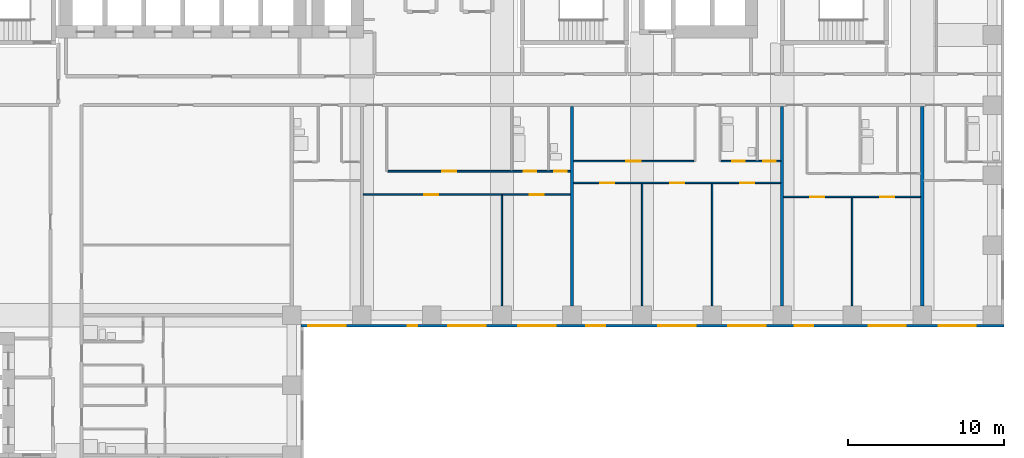
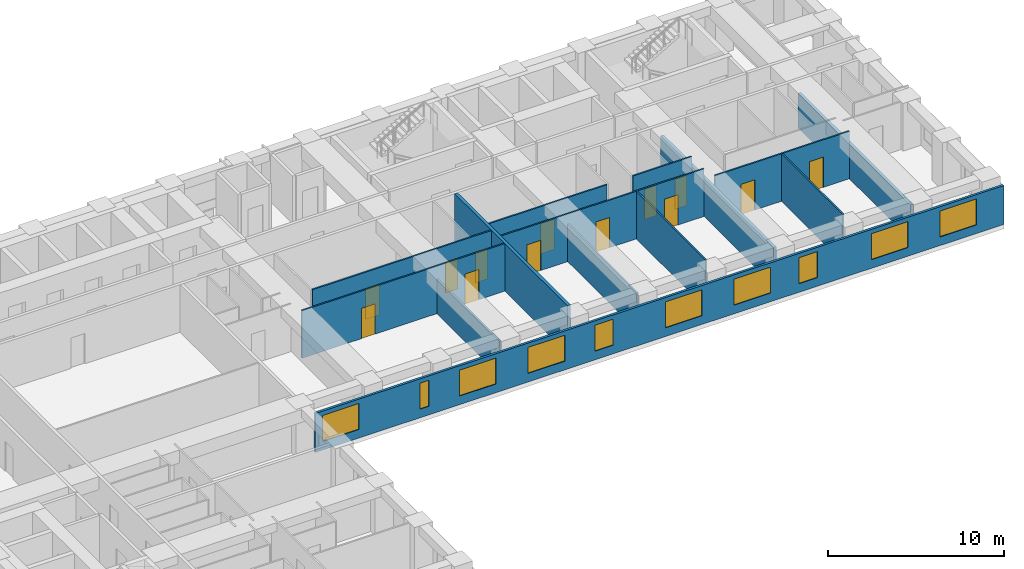
# One storey, part 6 of 11: 14 walls, 13 doors, 10 windows, 23 openings.
"""IFC4 building model written with IfcOpenShell, lengths in metres."""

from ifc_helpers import new_model, si_unit, direction, frame, frame_2d, origin, place, context, subcontext, project, spatial, rectangle, extrude, material, layer, layer_set, type_object, element, fill, save


model = new_model("IFC4")

# Units and contexts
model_context = context("Model", 3, precision=1e-05, world=origin(), true_north=direction((0.0, 1.0)))
body_context = subcontext(model_context, "Body", "Model", "MODEL_VIEW")
ifc_project = project(units=[si_unit("LENGTHUNIT", "METRE"), si_unit("AREAUNIT", "SQUARE_METRE"), si_unit("VOLUMEUNIT", "CUBIC_METRE"), si_unit("PLANEANGLEUNIT", "RADIAN"), si_unit("MASSUNIT", "GRAM", prefix="KILO")], contexts=[model_context])

# Site, building, storey
site_placement = place(None, origin())
site = spatial("IfcSite", under=ifc_project, at=site_placement, CompositionType="ELEMENT")
building_placement = place(site_placement, origin())
building = spatial("IfcBuilding", under=site, at=building_placement, Name="Firuza Court", CompositionType="ELEMENT")
storey_placement = place(building_placement, frame((0.0, 0.0, 57.800048828125)))
storey = spatial("IfcBuildingStorey", under=building, at=storey_placement, Name="L13", CompositionType="ELEMENT", Elevation=57.800048828125)

# Walls
ifc_material_1 = material(Name="Timber stud partition, plasterboard both sides", Category="wood")
ifc_layer_1 = layer(ifc_material_1, 0.10009765625)
ifc_layer_set_1 = layer_set([ifc_layer_1], Name="Timber stud partition, plasterboard both sides")
wall_type_1 = type_object("IfcWallType", Name="Partition wall 100", PredefinedType="PARTITIONING", material=ifc_layer_set_1)
wall_1_placement = place(storey_placement, frame((36.0, 36.60009765625, 0.0), z_axis=(0.0, 0.0, 1.0), x_axis=(0.0, 1.0, 0.0)))
element("IfcWall", 1, at=wall_1_placement, inside=storey, type_object=wall_type_1, Name="Partition wall 100 L13", PredefinedType="PARTITIONING", context=body_context, shape_type="SweptSolid", body=[
    extrude(rectangle(XDim=7.099853515625, YDim=0.10009765625, at=frame_2d((3.5498046875, 0.0))), origin(), (0.0, 0.0, 1.0), 2.39990234375),
])
wall_2_placement = place(storey_placement, frame((45.0, 36.60009765625, 0.0), z_axis=(0.0, 0.0, 1.0), x_axis=(0.0, 1.0, 0.0)))
element("IfcWall", 2, at=wall_2_placement, inside=storey, type_object=wall_type_1, Name="Partition wall 100 L13", PredefinedType="PARTITIONING", context=body_context, shape_type="SweptSolid", body=[
    extrude(rectangle(XDim=7.849853515625, YDim=0.10009765625, at=frame_2d((3.9248046875, 0.0))), origin(), (0.0, 0.0, 1.0), 2.599853515625),
])
wall_3_placement = place(storey_placement, frame((49.5, 36.60009765625, 0.0), z_axis=(0.0, 0.0, 1.0), x_axis=(0.0, 1.0, 0.0)))
element("IfcWall", 3, at=wall_3_placement, inside=storey, type_object=wall_type_1, Name="Partition wall 100 L13", PredefinedType="PARTITIONING", context=body_context, shape_type="SweptSolid", body=[
    extrude(rectangle(XDim=7.849853515625, YDim=0.10009765625, at=frame_2d((3.9248046875, 0.0))), origin(), (0.0, 0.0, 1.0), 3.300048828125),
])
wall_4_placement = place(storey_placement, frame((58.5, 36.60009765625, 0.0), z_axis=(0.0, 0.0, 1.0), x_axis=(0.0, 1.0, 0.0)))
element("IfcWall", 4, at=wall_4_placement, inside=storey, type_object=wall_type_1, Name="Partition wall 100 L13", PredefinedType="PARTITIONING", context=body_context, shape_type="SweptSolid", body=[
    extrude(rectangle(XDim=6.949951171875, YDim=0.10009765625, at=frame_2d((3.47509765625, 0.0))), origin(), (0.0, 0.0, 1.0), 3.300048828125),
])

# Wall, openings, doors
wall_5_placement = place(storey_placement, frame((54.10009765625, 43.60009765625, 0.0), z_axis=(0.0, 0.0, 1.0), x_axis=(1.0, 0.0, 0.0)))
wall_5 = element("IfcWall", 5, at=wall_5_placement, inside=storey, type_object=wall_type_1, Name="Partition wall 100 L13", PredefinedType="PARTITIONING", context=body_context, shape_type="SweptSolid", body=[
    extrude(rectangle(XDim=8.7998046875, YDim=0.10009765625, at=frame_2d((4.39990234375, 0.0))), origin(), (0.0, 0.0, 1.0), 3.300048828125),
])
opening_1_placement = place(wall_5_placement, frame((1.699951171875, 0.0, 0.0)))
opening_1 = element("IfcOpeningElement", 6, at=opening_1_placement, cuts=wall_5, Name="Opening D13042", PredefinedType="OPENING", context=body_context, shape_type="SweptSolid", body=[
    extrude(rectangle(XDim=0.89990234375, YDim=2.10009765625, at=frame_2d((0.449951171875, 1.050048828125))), frame((0.0, 0.06201171875, 0.0), z_axis=(0.0, -1.0, 0.0), x_axis=(1.0, 0.0, 0.0)), (0.0, 0.0, 1.0), 0.1240234375),
])
opening_2_placement = place(wall_5_placement, frame((6.199951171875, 0.0, 0.0)))
opening_2 = element("IfcOpeningElement", 7, at=opening_2_placement, cuts=wall_5, Name="Opening D13043", PredefinedType="OPENING", context=body_context, shape_type="SweptSolid", body=[
    extrude(rectangle(XDim=0.89990234375, YDim=2.10009765625, at=frame_2d((0.449951171875, 1.050048828125))), frame((0.0, 0.06201171875, 0.0), z_axis=(0.0, -1.0, 0.0), x_axis=(1.0, 0.0, 0.0)), (0.0, 0.0, 1.0), 0.1240234375),
])
ifc_material_2 = material(Name="Timber door leaf in hardwood frame", Category="wood")
door_type_1 = type_object("IfcDoorType", Name="Room door 900", OperationType="SINGLE_SWING_LEFT", PredefinedType="DOOR", material=ifc_material_2)
door_1_placement = place(opening_1_placement, frame((0.89990234375, 0.0, 0.0), z_axis=(0.0, 0.0, 1.0), x_axis=(-1.0, 0.0, 0.0)))
door_1 = element("IfcDoor", 8, at=door_1_placement, inside=storey, type_object=door_type_1, Name="Living room door", OperationType="SINGLE_SWING_RIGHT", OverallHeight=2.10009765625, OverallWidth=0.89990234375, PredefinedType="DOOR", context=body_context, shape_type="SweptSolid", body=[
    extrude(rectangle(XDim=0.89990234375, YDim=2.10009765625, at=frame_2d((0.449951171875, 1.050048828125))), frame((0.0, 0.02490234375, 0.0), z_axis=(0.0, -1.0, 0.0), x_axis=(1.0, 0.0, 0.0)), (0.0, 0.0, 1.0), 0.050048828125),
])
fill(opening_1, door_1)
door_2_placement = place(opening_2_placement, frame((0.89990234375, 0.0, 0.0), z_axis=(0.0, 0.0, 1.0), x_axis=(-1.0, 0.0, 0.0)))
door_2 = element("IfcDoor", 9, at=door_2_placement, inside=storey, type_object=door_type_1, Name="Bedroom door", OperationType="SINGLE_SWING_RIGHT", OverallHeight=2.10009765625, OverallWidth=0.89990234375, PredefinedType="DOOR", context=body_context, shape_type="SweptSolid", body=[
    extrude(rectangle(XDim=0.89990234375, YDim=2.10009765625, at=frame_2d((0.449951171875, 1.050048828125))), frame((0.0, 0.02490234375, 0.0), z_axis=(0.0, -1.0, 0.0), x_axis=(1.0, 0.0, 0.0)), (0.0, 0.0, 1.0), 0.050048828125),
])
fill(opening_2, door_2)

wall_6_placement = place(storey_placement, frame((27.10009765625, 43.75, 0.0), z_axis=(0.0, 0.0, 1.0), x_axis=(1.0, 0.0, 0.0)))
wall_6 = element("IfcWall", 10, at=wall_6_placement, inside=storey, type_object=wall_type_1, Name="Partition wall 100 L13", PredefinedType="PARTITIONING", context=body_context, shape_type="SweptSolid", body=[
    extrude(rectangle(XDim=13.2998046875, YDim=0.10009765625, at=frame_2d((6.64990234375, 0.0))), origin(), (0.0, 0.0, 1.0), 3.300048828125),
])
opening_3_placement = place(wall_6_placement, frame((3.89990234375, 0.0, 0.0)))
opening_3 = element("IfcOpeningElement", 11, at=opening_3_placement, cuts=wall_6, Name="Opening D13044", PredefinedType="OPENING", context=body_context, shape_type="SweptSolid", body=[
    extrude(rectangle(XDim=0.89990234375, YDim=2.10009765625, at=frame_2d((0.449951171875, 1.050048828125))), frame((0.0, 0.06201171875, 0.0), z_axis=(0.0, -1.0, 0.0), x_axis=(1.0, 0.0, 0.0)), (0.0, 0.0, 1.0), 0.1240234375),
])
opening_4_placement = place(wall_6_placement, frame((10.699951171875, 0.0, 0.0)))
opening_4 = element("IfcOpeningElement", 12, at=opening_4_placement, cuts=wall_6, Name="Opening D13045", PredefinedType="OPENING", context=body_context, shape_type="SweptSolid", body=[
    extrude(rectangle(XDim=0.89990234375, YDim=2.10009765625, at=frame_2d((0.449951171875, 1.050048828125))), frame((0.0, 0.06201171875, 0.0), z_axis=(0.0, -1.0, 0.0), x_axis=(1.0, 0.0, 0.0)), (0.0, 0.0, 1.0), 0.1240234375),
])
door_3_placement = place(opening_3_placement, frame((0.89990234375, 0.0, 0.0), z_axis=(0.0, 0.0, 1.0), x_axis=(-1.0, 0.0, 0.0)))
door_3 = element("IfcDoor", 13, at=door_3_placement, inside=storey, type_object=door_type_1, Name="Living room door", OperationType="SINGLE_SWING_RIGHT", OverallHeight=2.10009765625, OverallWidth=0.89990234375, PredefinedType="DOOR", context=body_context, shape_type="SweptSolid", body=[
    extrude(rectangle(XDim=0.89990234375, YDim=2.10009765625, at=frame_2d((0.449951171875, 1.050048828125))), frame((0.0, 0.02490234375, 0.0), z_axis=(0.0, -1.0, 0.0), x_axis=(1.0, 0.0, 0.0)), (0.0, 0.0, 1.0), 0.050048828125),
])
fill(opening_3, door_3)
door_4_placement = place(opening_4_placement, frame((0.89990234375, 0.0, 0.0), z_axis=(0.0, 0.0, 1.0), x_axis=(-1.0, 0.0, 0.0)))
door_4 = element("IfcDoor", 14, at=door_4_placement, inside=storey, type_object=door_type_1, Name="Bedroom door", OperationType="SINGLE_SWING_RIGHT", OverallHeight=2.10009765625, OverallWidth=0.89990234375, PredefinedType="DOOR", context=body_context, shape_type="SweptSolid", body=[
    extrude(rectangle(XDim=0.89990234375, YDim=2.10009765625, at=frame_2d((0.449951171875, 1.050048828125))), frame((0.0, 0.02490234375, 0.0), z_axis=(0.0, -1.0, 0.0), x_axis=(1.0, 0.0, 0.0)), (0.0, 0.0, 1.0), 0.050048828125),
])
fill(opening_4, door_4)

wall_7_placement = place(storey_placement, frame((40.60009765625, 44.5, 0.0), z_axis=(0.0, 0.0, 1.0), x_axis=(1.0, 0.0, 0.0)))
wall_7 = element("IfcWall", 15, at=wall_7_placement, inside=storey, type_object=wall_type_1, Name="Partition wall 100 L13", PredefinedType="PARTITIONING", context=body_context, shape_type="SweptSolid", body=[
    extrude(rectangle(XDim=13.2998046875, YDim=0.10009765625, at=frame_2d((6.64990234375, 0.0))), origin(), (0.0, 0.0, 1.0), 3.300048828125),
])
opening_5_placement = place(wall_7_placement, frame((1.699951171875, 0.0, 0.0)))
opening_5 = element("IfcOpeningElement", 16, at=opening_5_placement, cuts=wall_7, Name="Opening D13046", PredefinedType="OPENING", context=body_context, shape_type="SweptSolid", body=[
    extrude(rectangle(XDim=0.89990234375, YDim=2.10009765625, at=frame_2d((0.449951171875, 1.050048828125))), frame((0.0, 0.06201171875, 0.0), z_axis=(0.0, -1.0, 0.0), x_axis=(1.0, 0.0, 0.0)), (0.0, 0.0, 1.0), 0.1240234375),
])
opening_6_placement = place(wall_7_placement, frame((6.199951171875, 0.0, 0.0)))
opening_6 = element("IfcOpeningElement", 17, at=opening_6_placement, cuts=wall_7, Name="Opening D13047", PredefinedType="OPENING", context=body_context, shape_type="SweptSolid", body=[
    extrude(rectangle(XDim=0.89990234375, YDim=2.10009765625, at=frame_2d((0.449951171875, 1.050048828125))), frame((0.0, 0.06201171875, 0.0), z_axis=(0.0, -1.0, 0.0), x_axis=(1.0, 0.0, 0.0)), (0.0, 0.0, 1.0), 0.1240234375),
])
opening_7_placement = place(wall_7_placement, frame((10.699951171875, 0.0, 0.0)))
opening_7 = element("IfcOpeningElement", 18, at=opening_7_placement, cuts=wall_7, Name="Opening D13048", PredefinedType="OPENING", context=body_context, shape_type="SweptSolid", body=[
    extrude(rectangle(XDim=0.89990234375, YDim=2.10009765625, at=frame_2d((0.449951171875, 1.050048828125))), frame((0.0, 0.06201171875, 0.0), z_axis=(0.0, -1.0, 0.0), x_axis=(1.0, 0.0, 0.0)), (0.0, 0.0, 1.0), 0.1240234375),
])
door_5_placement = place(opening_5_placement, frame((0.89990234375, 0.0, 0.0), z_axis=(0.0, 0.0, 1.0), x_axis=(-1.0, 0.0, 0.0)))
door_5 = element("IfcDoor", 19, at=door_5_placement, inside=storey, type_object=door_type_1, Name="Living room door", OperationType="SINGLE_SWING_RIGHT", OverallHeight=2.10009765625, OverallWidth=0.89990234375, PredefinedType="DOOR", context=body_context, shape_type="SweptSolid", body=[
    extrude(rectangle(XDim=0.89990234375, YDim=2.10009765625, at=frame_2d((0.449951171875, 1.050048828125))), frame((0.0, 0.02490234375, 0.0), z_axis=(0.0, -1.0, 0.0), x_axis=(1.0, 0.0, 0.0)), (0.0, 0.0, 1.0), 0.050048828125),
])
fill(opening_5, door_5)
door_6_placement = place(opening_6_placement, frame((0.89990234375, 0.0, 0.0), z_axis=(0.0, 0.0, 1.0), x_axis=(-1.0, 0.0, 0.0)))
door_6 = element("IfcDoor", 20, at=door_6_placement, inside=storey, type_object=door_type_1, Name="Bedroom door", OperationType="SINGLE_SWING_RIGHT", OverallHeight=2.10009765625, OverallWidth=0.89990234375, PredefinedType="DOOR", context=body_context, shape_type="SweptSolid", body=[
    extrude(rectangle(XDim=0.89990234375, YDim=2.10009765625, at=frame_2d((0.449951171875, 1.050048828125))), frame((0.0, 0.02490234375, 0.0), z_axis=(0.0, -1.0, 0.0), x_axis=(1.0, 0.0, 0.0)), (0.0, 0.0, 1.0), 0.050048828125),
])
fill(opening_6, door_6)
door_7_placement = place(opening_7_placement, frame((0.89990234375, 0.0, 0.0), z_axis=(0.0, 0.0, 1.0), x_axis=(-1.0, 0.0, 0.0)))
door_7 = element("IfcDoor", 21, at=door_7_placement, inside=storey, type_object=door_type_1, Name="Study door", OperationType="SINGLE_SWING_RIGHT", OverallHeight=2.10009765625, OverallWidth=0.89990234375, PredefinedType="DOOR", context=body_context, shape_type="SweptSolid", body=[
    extrude(rectangle(XDim=0.89990234375, YDim=2.10009765625, at=frame_2d((0.449951171875, 1.050048828125))), frame((0.0, 0.02490234375, 0.0), z_axis=(0.0, -1.0, 0.0), x_axis=(1.0, 0.0, 0.0)), (0.0, 0.0, 1.0), 0.050048828125),
])
fill(opening_7, door_7)

wall_8_placement = place(storey_placement, frame((28.64990234375, 45.25, 0.0), z_axis=(0.0, 0.0, 1.0), x_axis=(1.0, 0.0, 0.0)))
wall_8 = element("IfcWall", 22, at=wall_8_placement, inside=storey, type_object=wall_type_1, Name="Partition wall 100 L13", PredefinedType="PARTITIONING", context=body_context, shape_type="SweptSolid", body=[
    extrude(rectangle(XDim=11.75, YDim=0.10009765625, at=frame_2d((5.875, 0.0))), origin(), (0.0, 0.0, 1.0), 3.300048828125),
])
opening_8_placement = place(wall_8_placement, frame((8.75, 0.0, 0.0)))
opening_8 = element("IfcOpeningElement", 23, at=opening_8_placement, cuts=wall_8, Name="Opening D13054", PredefinedType="OPENING", context=body_context, shape_type="SweptSolid", body=[
    extrude(rectangle(XDim=0.800048828125, YDim=2.10009765625, at=frame_2d((0.39990234375, 1.050048828125))), frame((0.0, 0.06201171875, 0.0), z_axis=(0.0, -1.0, 0.0), x_axis=(1.0, 0.0, 0.0)), (0.0, 0.0, 1.0), 0.1240234375),
])
opening_9_placement = place(wall_8_placement, frame((3.5, 0.0, 0.0)))
opening_9 = element("IfcOpeningElement", 24, at=opening_9_placement, cuts=wall_8, Name="Opening D13055", PredefinedType="OPENING", context=body_context, shape_type="SweptSolid", body=[
    extrude(rectangle(XDim=0.89990234375, YDim=2.10009765625, at=frame_2d((0.449951171875, 1.050048828125))), frame((0.0, 0.06201171875, 0.0), z_axis=(0.0, -1.0, 0.0), x_axis=(1.0, 0.0, 0.0)), (0.0, 0.0, 1.0), 0.1240234375),
])
opening_10_placement = place(wall_8_placement, frame((10.699951171875, 0.0, 0.0)))
opening_10 = element("IfcOpeningElement", 25, at=opening_10_placement, cuts=wall_8, Name="Opening D13056", PredefinedType="OPENING", context=body_context, shape_type="SweptSolid", body=[
    extrude(rectangle(XDim=0.800048828125, YDim=2.10009765625, at=frame_2d((0.39990234375, 1.050048828125))), frame((0.0, 0.06201171875, 0.0), z_axis=(0.0, -1.0, 0.0), x_axis=(1.0, 0.0, 0.0)), (0.0, 0.0, 1.0), 0.1240234375),
])
ifc_material_3 = material(Name="Timber door leaf in hardwood frame", Category="wood")
door_type_2 = type_object("IfcDoorType", Name="Bathroom door 800", OperationType="SINGLE_SWING_LEFT", PredefinedType="DOOR", material=ifc_material_3)
door_8_placement = place(opening_8_placement, origin())
door_8 = element("IfcDoor", 26, at=door_8_placement, inside=storey, type_object=door_type_2, Name="Bathroom door", OperationType="SINGLE_SWING_LEFT", OverallHeight=2.10009765625, OverallWidth=0.800048828125, PredefinedType="DOOR", context=body_context, shape_type="SweptSolid", body=[
    extrude(rectangle(XDim=0.800048828125, YDim=2.10009765625, at=frame_2d((0.39990234375, 1.050048828125))), frame((0.0, 0.02490234375, 0.0), z_axis=(0.0, -1.0, 0.0), x_axis=(1.0, 0.0, 0.0)), (0.0, 0.0, 1.0), 0.050048828125),
])
fill(opening_8, door_8)
door_9_placement = place(opening_10_placement, origin())
door_9 = element("IfcDoor", 27, at=door_9_placement, inside=storey, type_object=door_type_2, Name="Powder room door", OperationType="SINGLE_SWING_LEFT", OverallHeight=2.10009765625, OverallWidth=0.800048828125, PredefinedType="DOOR", context=body_context, shape_type="SweptSolid", body=[
    extrude(rectangle(XDim=0.800048828125, YDim=2.10009765625, at=frame_2d((0.39990234375, 1.050048828125))), frame((0.0, 0.02490234375, 0.0), z_axis=(0.0, -1.0, 0.0), x_axis=(1.0, 0.0, 0.0)), (0.0, 0.0, 1.0), 0.050048828125),
])
fill(opening_10, door_9)
door_10_placement = place(opening_9_placement, origin())
door_10 = element("IfcDoor", 28, at=door_10_placement, inside=storey, type_object=door_type_1, Name="Kitchen door", OperationType="SINGLE_SWING_LEFT", OverallHeight=2.10009765625, OverallWidth=0.89990234375, PredefinedType="DOOR", context=body_context, shape_type="SweptSolid", body=[
    extrude(rectangle(XDim=0.89990234375, YDim=2.10009765625, at=frame_2d((0.449951171875, 1.050048828125))), frame((0.0, 0.02490234375, 0.0), z_axis=(0.0, -1.0, 0.0), x_axis=(1.0, 0.0, 0.0)), (0.0, 0.0, 1.0), 0.050048828125),
])
fill(opening_9, door_10)

# Wall, opening, door
wall_9_placement = place(storey_placement, frame((40.60009765625, 45.89990234375, 0.0), z_axis=(0.0, 0.0, 1.0), x_axis=(1.0, 0.0, 0.0)))
wall_9 = element("IfcWall", 29, at=wall_9_placement, inside=storey, type_object=wall_type_1, Name="Partition wall 100 L13", PredefinedType="PARTITIONING", context=body_context, shape_type="SweptSolid", body=[
    extrude(rectangle(XDim=7.75, YDim=0.10009765625, at=frame_2d((3.875, 0.0))), origin(), (0.0, 0.0, 1.0), 3.300048828125),
])
opening_11_placement = place(wall_9_placement, frame((3.39990234375, 0.0, 0.0)))
opening_11 = element("IfcOpeningElement", 30, at=opening_11_placement, cuts=wall_9, Name="Opening D13061", PredefinedType="OPENING", context=body_context, shape_type="SweptSolid", body=[
    extrude(rectangle(XDim=0.89990234375, YDim=2.10009765625, at=frame_2d((0.449951171875, 1.050048828125))), frame((0.0, 0.06201171875, 0.0), z_axis=(0.0, -1.0, 0.0), x_axis=(1.0, 0.0, 0.0)), (0.0, 0.0, 1.0), 0.1240234375),
])
door_11_placement = place(opening_11_placement, origin())
door_11 = element("IfcDoor", 31, at=door_11_placement, inside=storey, type_object=door_type_1, Name="Kitchen door", OperationType="SINGLE_SWING_LEFT", OverallHeight=2.10009765625, OverallWidth=0.89990234375, PredefinedType="DOOR", context=body_context, shape_type="SweptSolid", body=[
    extrude(rectangle(XDim=0.89990234375, YDim=2.10009765625, at=frame_2d((0.449951171875, 1.050048828125))), frame((0.0, 0.02490234375, 0.0), z_axis=(0.0, -1.0, 0.0), x_axis=(1.0, 0.0, 0.0)), (0.0, 0.0, 1.0), 0.050048828125),
])
fill(opening_11, door_11)

# Wall, openings, doors
wall_10_placement = place(storey_placement, frame((50.050048828125, 45.89990234375, 0.0), z_axis=(0.0, 0.0, 1.0), x_axis=(1.0, 0.0, 0.0)))
wall_10 = element("IfcWall", 32, at=wall_10_placement, inside=storey, type_object=wall_type_1, Name="Partition wall 100 L13", PredefinedType="PARTITIONING", context=body_context, shape_type="SweptSolid", body=[
    extrude(rectangle(XDim=3.849853515625, YDim=0.10009765625, at=frame_2d((1.9248046875, 0.0))), origin(), (0.0, 0.0, 1.0), 3.300048828125),
])
opening_12_placement = place(wall_10_placement, frame((0.75, 0.0, 0.0)))
opening_12 = element("IfcOpeningElement", 33, at=opening_12_placement, cuts=wall_10, Name="Opening D13062", PredefinedType="OPENING", context=body_context, shape_type="SweptSolid", body=[
    extrude(rectangle(XDim=0.800048828125, YDim=2.10009765625, at=frame_2d((0.39990234375, 1.050048828125))), frame((0.0, 0.06201171875, 0.0), z_axis=(0.0, -1.0, 0.0), x_axis=(1.0, 0.0, 0.0)), (0.0, 0.0, 1.0), 0.1240234375),
])
opening_13_placement = place(wall_10_placement, frame((2.75, 0.0, 0.0)))
opening_13 = element("IfcOpeningElement", 34, at=opening_13_placement, cuts=wall_10, Name="Opening D13063", PredefinedType="OPENING", context=body_context, shape_type="SweptSolid", body=[
    extrude(rectangle(XDim=0.800048828125, YDim=2.10009765625, at=frame_2d((0.39990234375, 1.050048828125))), frame((0.0, 0.06201171875, 0.0), z_axis=(0.0, -1.0, 0.0), x_axis=(1.0, 0.0, 0.0)), (0.0, 0.0, 1.0), 0.1240234375),
])
door_12_placement = place(opening_12_placement, origin())
door_12 = element("IfcDoor", 35, at=door_12_placement, inside=storey, type_object=door_type_2, Name="Bathroom door", OperationType="SINGLE_SWING_LEFT", OverallHeight=2.10009765625, OverallWidth=0.800048828125, PredefinedType="DOOR", context=body_context, shape_type="SweptSolid", body=[
    extrude(rectangle(XDim=0.800048828125, YDim=2.10009765625, at=frame_2d((0.39990234375, 1.050048828125))), frame((0.0, 0.02490234375, 0.0), z_axis=(0.0, -1.0, 0.0), x_axis=(1.0, 0.0, 0.0)), (0.0, 0.0, 1.0), 0.050048828125),
])
fill(opening_12, door_12)
ifc_material_4 = material(Name="Timber door leaf in hardwood frame", Category="wood")
door_type_3 = type_object("IfcDoorType", Name="Room door 800", OperationType="SINGLE_SWING_LEFT", PredefinedType="DOOR", material=ifc_material_4)
door_13_placement = place(opening_13_placement, origin())
door_13 = element("IfcDoor", 36, at=door_13_placement, inside=storey, type_object=door_type_3, Name="Store door", OperationType="SINGLE_SWING_LEFT", OverallHeight=2.10009765625, OverallWidth=0.800048828125, PredefinedType="DOOR", context=body_context, shape_type="SweptSolid", body=[
    extrude(rectangle(XDim=0.800048828125, YDim=2.10009765625, at=frame_2d((0.39990234375, 1.050048828125))), frame((0.0, 0.02490234375, 0.0), z_axis=(0.0, -1.0, 0.0), x_axis=(1.0, 0.0, 0.0)), (0.0, 0.0, 1.0), 0.050048828125),
])
fill(opening_13, door_13)

# Walls
ifc_material_5 = material(Name="Blockwork, plastered both sides", Category="masonry")
ifc_layer_2 = layer(ifc_material_5, 0.199951171875)
ifc_layer_set_2 = layer_set([ifc_layer_2], Name="Blockwork, plastered both sides")
wall_type_2 = type_object("IfcWallType", Name="Party wall 200", PredefinedType="PARTITIONING", material=ifc_layer_set_2)
wall_11_placement = place(storey_placement, frame((40.5, 36.60009765625, 0.0), z_axis=(0.0, 0.0, 1.0), x_axis=(0.0, 1.0, 0.0)))
element("IfcWall", 37, at=wall_11_placement, inside=storey, type_object=wall_type_2, Name="Party wall 200 L13", PredefinedType="PARTITIONING", context=body_context, shape_type="SweptSolid", body=[
    extrude(rectangle(XDim=12.7998046875, YDim=0.199951171875, at=frame_2d((6.39990234375, 0.0))), origin(), (0.0, 0.0, 1.0), 3.300048828125),
])
wall_12_placement = place(storey_placement, frame((54.0, 36.60009765625, 0.0), z_axis=(0.0, 0.0, 1.0), x_axis=(0.0, 1.0, 0.0)))
element("IfcWall", 38, at=wall_12_placement, inside=storey, type_object=wall_type_2, Name="Party wall 200 L13", PredefinedType="PARTITIONING", context=body_context, shape_type="SweptSolid", body=[
    extrude(rectangle(XDim=12.7998046875, YDim=0.199951171875, at=frame_2d((6.39990234375, 0.0))), origin(), (0.0, 0.0, 1.0), 2.599853515625),
])
wall_13_placement = place(storey_placement, frame((63.0, 36.60009765625, 0.0), z_axis=(0.0, 0.0, 1.0), x_axis=(0.0, 1.0, 0.0)))
element("IfcWall", 39, at=wall_13_placement, inside=storey, type_object=wall_type_2, Name="Party wall 200 L13", PredefinedType="PARTITIONING", context=body_context, shape_type="SweptSolid", body=[
    extrude(rectangle(XDim=12.7998046875, YDim=0.199951171875, at=frame_2d((6.39990234375, 0.0))), origin(), (0.0, 0.0, 1.0), 2.39990234375),
])

# Wall, openings, windows
ifc_material_6 = material(Name="Ceramic tile", Category="ceramic")
ifc_layer_3 = layer(ifc_material_6, 0.02001953125)
ifc_material_7 = material(Name="Mineral wool insulation", Category="insulation")
ifc_layer_4 = layer(ifc_material_7, 0.050048828125)
ifc_material_8 = material(Name="Concrete C40/50 precast", Category="concrete")
ifc_layer_5 = layer(ifc_material_8, 0.080078125)
ifc_layer_set_3 = layer_set([ifc_layer_3, ifc_layer_4, ifc_layer_5], Name="Concrete C40/50 precast")
wall_type_3 = type_object("IfcWallType", Name="Precast cladding wall with turquoise TILE PANEL face 150", PredefinedType="STANDARD", material=ifc_layer_set_3)
wall_14_placement = place(storey_placement, frame((23.10009765625, 35.324951171875, 0.0), z_axis=(0.0, 0.0, 1.0), x_axis=(1.0, 0.0, 0.0)))
wall_14 = element("IfcWall", 40, at=wall_14_placement, inside=storey, type_object=wall_type_3, Name="Facade wall L13 S", PredefinedType="STANDARD", context=body_context, shape_type="SweptSolid", body=[
    extrude(rectangle(XDim=45.14990234375, YDim=0.14990234375, at=frame_2d((22.574951171875, 0.0))), origin(), (0.0, 0.0, 1.0), 2.699951171875),
])
opening_14_placement = place(wall_14_placement, frame((0.449951171875, 0.0, 0.60009765625)))
opening_14 = element("IfcOpeningElement", 41, at=opening_14_placement, cuts=wall_14, Name="Opening W1", PredefinedType="OPENING", context=body_context, shape_type="SweptSolid", body=[
    extrude(rectangle(XDim=2.39990234375, YDim=1.800048828125, at=frame_2d((1.199951171875, 0.89990234375))), frame((0.0, 0.0869140625, 0.0), z_axis=(0.0, -1.0, 0.0), x_axis=(1.0, 0.0, 0.0)), (0.0, 0.0, 1.0), 0.173828125),
])
opening_15_placement = place(wall_14_placement, frame((6.853759765625, 0.0, 0.60009765625)))
opening_15 = element("IfcOpeningElement", 42, at=opening_15_placement, cuts=wall_14, Name="Opening W4", PredefinedType="OPENING", context=body_context, shape_type="SweptSolid", body=[
    extrude(rectangle(XDim=0.60009765625, YDim=1.800048828125, at=frame_2d((0.300048828125, 0.89990234375))), frame((0.0, 0.0869140625, 0.0), z_axis=(0.0, -1.0, 0.0), x_axis=(1.0, 0.0, 0.0)), (0.0, 0.0, 1.0), 0.173828125),
])
opening_16_placement = place(wall_14_placement, frame((9.449951171875, 0.0, 0.60009765625)))
opening_16 = element("IfcOpeningElement", 43, at=opening_16_placement, cuts=wall_14, Name="Opening W1", PredefinedType="OPENING", context=body_context, shape_type="SweptSolid", body=[
    extrude(rectangle(XDim=2.39990234375, YDim=1.800048828125, at=frame_2d((1.199951171875, 0.89990234375))), frame((0.0, 0.0869140625, 0.0), z_axis=(0.0, -1.0, 0.0), x_axis=(1.0, 0.0, 0.0)), (0.0, 0.0, 1.0), 0.173828125),
])
opening_17_placement = place(wall_14_placement, frame((13.949951171875, 0.0, 0.60009765625)))
opening_17 = element("IfcOpeningElement", 44, at=opening_17_placement, cuts=wall_14, Name="Opening W1", PredefinedType="OPENING", context=body_context, shape_type="SweptSolid", body=[
    extrude(rectangle(XDim=2.39990234375, YDim=1.800048828125, at=frame_2d((1.199951171875, 0.89990234375))), frame((0.0, 0.0869140625, 0.0), z_axis=(0.0, -1.0, 0.0), x_axis=(1.0, 0.0, 0.0)), (0.0, 0.0, 1.0), 0.173828125),
])
opening_18_placement = place(wall_14_placement, frame((18.3232421875, 0.0, 0.60009765625)))
opening_18 = element("IfcOpeningElement", 45, at=opening_18_placement, cuts=wall_14, Name="Opening W8", PredefinedType="OPENING", context=body_context, shape_type="SweptSolid", body=[
    extrude(rectangle(XDim=1.199951171875, YDim=1.800048828125, at=frame_2d((0.60009765625, 0.89990234375))), frame((0.0, 0.0869140625, 0.0), z_axis=(0.0, -1.0, 0.0), x_axis=(1.0, 0.0, 0.0)), (0.0, 0.0, 1.0), 0.173828125),
])
opening_19_placement = place(wall_14_placement, frame((22.949951171875, 0.0, 0.60009765625)))
opening_19 = element("IfcOpeningElement", 46, at=opening_19_placement, cuts=wall_14, Name="Opening W1", PredefinedType="OPENING", context=body_context, shape_type="SweptSolid", body=[
    extrude(rectangle(XDim=2.39990234375, YDim=1.800048828125, at=frame_2d((1.199951171875, 0.89990234375))), frame((0.0, 0.0869140625, 0.0), z_axis=(0.0, -1.0, 0.0), x_axis=(1.0, 0.0, 0.0)), (0.0, 0.0, 1.0), 0.173828125),
])
opening_20_placement = place(wall_14_placement, frame((27.449951171875, 0.0, 0.60009765625)))
opening_20 = element("IfcOpeningElement", 47, at=opening_20_placement, cuts=wall_14, Name="Opening W1", PredefinedType="OPENING", context=body_context, shape_type="SweptSolid", body=[
    extrude(rectangle(XDim=2.39990234375, YDim=1.800048828125, at=frame_2d((1.199951171875, 0.89990234375))), frame((0.0, 0.0869140625, 0.0), z_axis=(0.0, -1.0, 0.0), x_axis=(1.0, 0.0, 0.0)), (0.0, 0.0, 1.0), 0.173828125),
])
opening_21_placement = place(wall_14_placement, frame((31.705810546875, 0.0, 0.60009765625)))
opening_21 = element("IfcOpeningElement", 48, at=opening_21_placement, cuts=wall_14, Name="Opening W8", PredefinedType="OPENING", context=body_context, shape_type="SweptSolid", body=[
    extrude(rectangle(XDim=1.199951171875, YDim=1.800048828125, at=frame_2d((0.60009765625, 0.89990234375))), frame((0.0, 0.0869140625, 0.0), z_axis=(0.0, -1.0, 0.0), x_axis=(1.0, 0.0, 0.0)), (0.0, 0.0, 1.0), 0.173828125),
])
opening_22_placement = place(wall_14_placement, frame((36.449951171875, 0.0, 0.60009765625)))
opening_22 = element("IfcOpeningElement", 49, at=opening_22_placement, cuts=wall_14, Name="Opening W1", PredefinedType="OPENING", context=body_context, shape_type="SweptSolid", body=[
    extrude(rectangle(XDim=2.39990234375, YDim=1.800048828125, at=frame_2d((1.199951171875, 0.89990234375))), frame((0.0, 0.0869140625, 0.0), z_axis=(0.0, -1.0, 0.0), x_axis=(1.0, 0.0, 0.0)), (0.0, 0.0, 1.0), 0.173828125),
])
opening_23_placement = place(wall_14_placement, frame((40.949951171875, 0.0, 0.60009765625)))
opening_23 = element("IfcOpeningElement", 50, at=opening_23_placement, cuts=wall_14, Name="Opening W1", PredefinedType="OPENING", context=body_context, shape_type="SweptSolid", body=[
    extrude(rectangle(XDim=2.39990234375, YDim=1.800048828125, at=frame_2d((1.199951171875, 0.89990234375))), frame((0.0, 0.0869140625, 0.0), z_axis=(0.0, -1.0, 0.0), x_axis=(1.0, 0.0, 0.0)), (0.0, 0.0, 1.0), 0.173828125),
])
ifc_material_9 = material(Name="Aluminium frame, triple clear glazing", Category="aluminium")
window_type_1 = type_object("IfcWindowType", Name="Window W1 2400 x 1800", PartitioningType="SINGLE_PANEL", PredefinedType="WINDOW", material=ifc_material_9)
window_1_placement = place(opening_14_placement, origin())
window_1 = element("IfcWindow", 51, at=window_1_placement, inside=storey, type_object=window_type_1, Name="Window L13", OverallHeight=1.800048828125, OverallWidth=2.39990234375, PartitioningType="SINGLE_PANEL", PredefinedType="WINDOW", context=body_context, shape_type="SweptSolid", body=[
    extrude(rectangle(XDim=2.39990234375, YDim=1.800048828125, at=frame_2d((1.199951171875, 0.89990234375))), frame((0.0, 0.030029296875, 0.0), z_axis=(0.0, -1.0, 0.0), x_axis=(1.0, 0.0, 0.0)), (0.0, 0.0, 1.0), 0.06005859375),
])
fill(opening_14, window_1)
window_2_placement = place(opening_16_placement, origin())
window_2 = element("IfcWindow", 52, at=window_2_placement, inside=storey, type_object=window_type_1, Name="Window L13", OverallHeight=1.800048828125, OverallWidth=2.39990234375, PartitioningType="SINGLE_PANEL", PredefinedType="WINDOW", context=body_context, shape_type="SweptSolid", body=[
    extrude(rectangle(XDim=2.39990234375, YDim=1.800048828125, at=frame_2d((1.199951171875, 0.89990234375))), frame((0.0, 0.030029296875, 0.0), z_axis=(0.0, -1.0, 0.0), x_axis=(1.0, 0.0, 0.0)), (0.0, 0.0, 1.0), 0.06005859375),
])
fill(opening_16, window_2)
window_3_placement = place(opening_17_placement, origin())
window_3 = element("IfcWindow", 53, at=window_3_placement, inside=storey, type_object=window_type_1, Name="Window L13", OverallHeight=1.800048828125, OverallWidth=2.39990234375, PartitioningType="SINGLE_PANEL", PredefinedType="WINDOW", context=body_context, shape_type="SweptSolid", body=[
    extrude(rectangle(XDim=2.39990234375, YDim=1.800048828125, at=frame_2d((1.199951171875, 0.89990234375))), frame((0.0, 0.030029296875, 0.0), z_axis=(0.0, -1.0, 0.0), x_axis=(1.0, 0.0, 0.0)), (0.0, 0.0, 1.0), 0.06005859375),
])
fill(opening_17, window_3)
window_4_placement = place(opening_19_placement, origin())
window_4 = element("IfcWindow", 54, at=window_4_placement, inside=storey, type_object=window_type_1, Name="Window L13", OverallHeight=1.800048828125, OverallWidth=2.39990234375, PartitioningType="SINGLE_PANEL", PredefinedType="WINDOW", context=body_context, shape_type="SweptSolid", body=[
    extrude(rectangle(XDim=2.39990234375, YDim=1.800048828125, at=frame_2d((1.199951171875, 0.89990234375))), frame((0.0, 0.030029296875, 0.0), z_axis=(0.0, -1.0, 0.0), x_axis=(1.0, 0.0, 0.0)), (0.0, 0.0, 1.0), 0.06005859375),
])
fill(opening_19, window_4)
window_5_placement = place(opening_20_placement, origin())
window_5 = element("IfcWindow", 55, at=window_5_placement, inside=storey, type_object=window_type_1, Name="Window L13", OverallHeight=1.800048828125, OverallWidth=2.39990234375, PartitioningType="SINGLE_PANEL", PredefinedType="WINDOW", context=body_context, shape_type="SweptSolid", body=[
    extrude(rectangle(XDim=2.39990234375, YDim=1.800048828125, at=frame_2d((1.199951171875, 0.89990234375))), frame((0.0, 0.030029296875, 0.0), z_axis=(0.0, -1.0, 0.0), x_axis=(1.0, 0.0, 0.0)), (0.0, 0.0, 1.0), 0.06005859375),
])
fill(opening_20, window_5)
window_6_placement = place(opening_22_placement, origin())
window_6 = element("IfcWindow", 56, at=window_6_placement, inside=storey, type_object=window_type_1, Name="Window L13", OverallHeight=1.800048828125, OverallWidth=2.39990234375, PartitioningType="SINGLE_PANEL", PredefinedType="WINDOW", context=body_context, shape_type="SweptSolid", body=[
    extrude(rectangle(XDim=2.39990234375, YDim=1.800048828125, at=frame_2d((1.199951171875, 0.89990234375))), frame((0.0, 0.030029296875, 0.0), z_axis=(0.0, -1.0, 0.0), x_axis=(1.0, 0.0, 0.0)), (0.0, 0.0, 1.0), 0.06005859375),
])
fill(opening_22, window_6)
window_7_placement = place(opening_23_placement, origin())
window_7 = element("IfcWindow", 57, at=window_7_placement, inside=storey, type_object=window_type_1, Name="Window L13", OverallHeight=1.800048828125, OverallWidth=2.39990234375, PartitioningType="SINGLE_PANEL", PredefinedType="WINDOW", context=body_context, shape_type="SweptSolid", body=[
    extrude(rectangle(XDim=2.39990234375, YDim=1.800048828125, at=frame_2d((1.199951171875, 0.89990234375))), frame((0.0, 0.030029296875, 0.0), z_axis=(0.0, -1.0, 0.0), x_axis=(1.0, 0.0, 0.0)), (0.0, 0.0, 1.0), 0.06005859375),
])
fill(opening_23, window_7)
ifc_material_10 = material(Name="Aluminium frame, triple clear glazing", Category="aluminium")
window_type_2 = type_object("IfcWindowType", Name="Window W4 600 x 1800", PartitioningType="SINGLE_PANEL", PredefinedType="WINDOW", material=ifc_material_10)
window_8_placement = place(opening_15_placement, origin())
window_8 = element("IfcWindow", 58, at=window_8_placement, inside=storey, type_object=window_type_2, Name="Window L13", OverallHeight=1.800048828125, OverallWidth=0.60009765625, PartitioningType="SINGLE_PANEL", PredefinedType="WINDOW", context=body_context, shape_type="SweptSolid", body=[
    extrude(rectangle(XDim=0.60009765625, YDim=1.800048828125, at=frame_2d((0.300048828125, 0.89990234375))), frame((0.0, 0.030029296875, 0.0), z_axis=(0.0, -1.0, 0.0), x_axis=(1.0, 0.0, 0.0)), (0.0, 0.0, 1.0), 0.06005859375),
])
fill(opening_15, window_8)
ifc_material_11 = material(Name="Aluminium frame, triple clear glazing", Category="aluminium")
window_type_3 = type_object("IfcWindowType", Name="Window W8 1200 x 1800", PartitioningType="SINGLE_PANEL", PredefinedType="WINDOW", material=ifc_material_11)
window_9_placement = place(opening_18_placement, origin())
window_9 = element("IfcWindow", 59, at=window_9_placement, inside=storey, type_object=window_type_3, Name="Window L13", OverallHeight=1.800048828125, OverallWidth=1.199951171875, PartitioningType="SINGLE_PANEL", PredefinedType="WINDOW", context=body_context, shape_type="SweptSolid", body=[
    extrude(rectangle(XDim=1.199951171875, YDim=1.800048828125, at=frame_2d((0.60009765625, 0.89990234375))), frame((0.0, 0.030029296875, 0.0), z_axis=(0.0, -1.0, 0.0), x_axis=(1.0, 0.0, 0.0)), (0.0, 0.0, 1.0), 0.06005859375),
])
fill(opening_18, window_9)
window_10_placement = place(opening_21_placement, origin())
window_10 = element("IfcWindow", 60, at=window_10_placement, inside=storey, type_object=window_type_3, Name="Window L13", OverallHeight=1.800048828125, OverallWidth=1.199951171875, PartitioningType="SINGLE_PANEL", PredefinedType="WINDOW", context=body_context, shape_type="SweptSolid", body=[
    extrude(rectangle(XDim=1.199951171875, YDim=1.800048828125, at=frame_2d((0.60009765625, 0.89990234375))), frame((0.0, 0.030029296875, 0.0), z_axis=(0.0, -1.0, 0.0), x_axis=(1.0, 0.0, 0.0)), (0.0, 0.0, 1.0), 0.06005859375),
])
fill(opening_21, window_10)

save(model, "model.ifc")
